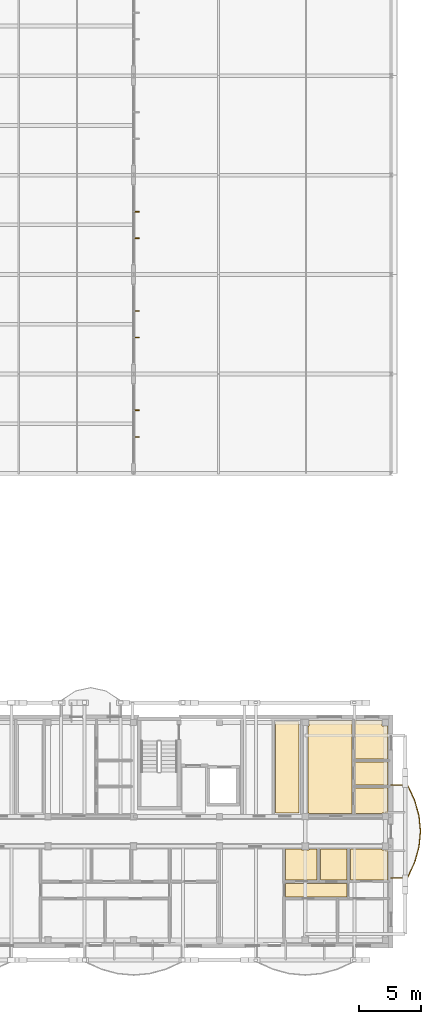
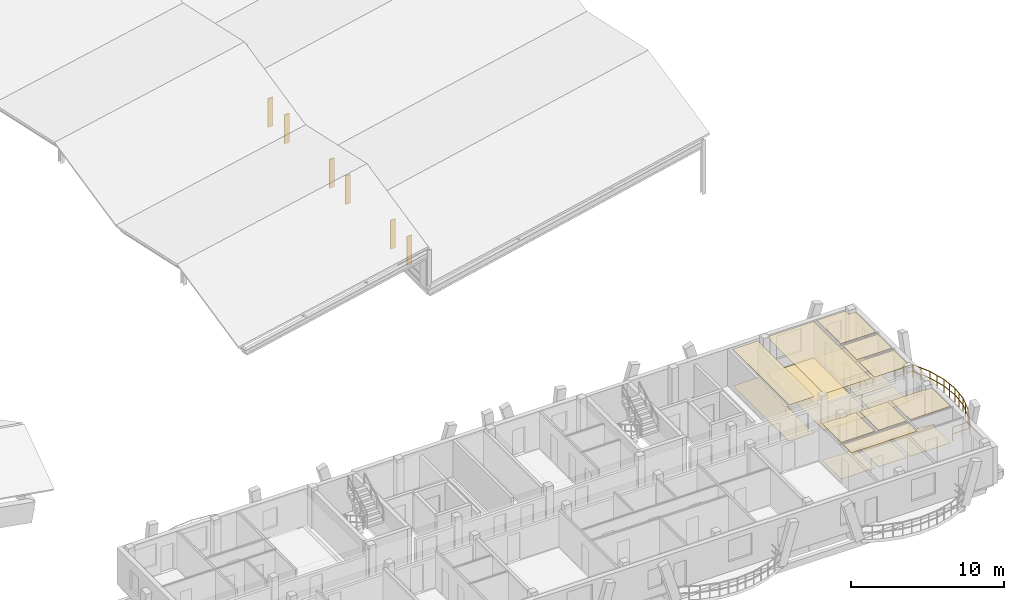
# One storey, part 104 of 109: 17 coverings, 6 shading devices, 1 railing.
"""IFC4 building model written with IfcOpenShell, lengths in metres."""

from ifc_helpers import new_model, si_unit, direction, frame, origin, origin_2d, place, context, subcontext, project, spatial, polyline, rectangle, outline, extrude, material, layer, layer_set, type_object, element, save


model = new_model("IFC4")

# Units and contexts
model_context = context("Model", 3, precision=1e-05, world=origin(), true_north=direction((0.0, 1.0)))
body_context = subcontext(model_context, "Body", "Model", "MODEL_VIEW")
ifc_project = project(units=[si_unit("LENGTHUNIT", "METRE"), si_unit("AREAUNIT", "SQUARE_METRE"), si_unit("VOLUMEUNIT", "CUBIC_METRE"), si_unit("PLANEANGLEUNIT", "RADIAN"), si_unit("MASSUNIT", "GRAM", prefix="KILO")], contexts=[model_context])

# Site, building, storey
site_placement = place(None, origin())
site = spatial("IfcSite", under=ifc_project, at=site_placement, CompositionType="ELEMENT")
building_placement = place(site_placement, origin())
building = spatial("IfcBuilding", under=site, at=building_placement, Name="Zavelmont Quarter", CompositionType="ELEMENT")
storey_placement = place(building_placement, frame((0.0, 0.0, 8.0)))
storey = spatial("IfcBuildingStorey", under=building, at=storey_placement, Name="L02", CompositionType="ELEMENT", Elevation=8.0)

# Coverings
ifc_material_1 = material(Name="Perforated acoustic gypsum board")
ifc_layer_1 = layer(ifc_material_1, 0.02490234375)
ifc_layer_set_1 = layer_set([ifc_layer_1], Name="Perforated acoustic gypsum board")
covering_type_1 = type_object("IfcCoveringType", Name="CV-CL01", PredefinedType="CEILING", material=ifc_layer_set_1)
covering_1_placement = place(storey_placement, frame((0.0, 0.0, 2.9150390625)))
element("IfcCovering", 1, at=covering_1_placement, inside=storey, type_object=covering_type_1, Name="L02 Cleaners Store acoustic ceiling", PredefinedType="CEILING", context=body_context, shape_type="SweptSolid", body=[
    extrude(outline(polyline([(158.72998046875, 18.02001953125), (160.6201171875, 18.02001953125), (160.6201171875, 10.679931640625), (158.72998046875, 10.679931640625), (158.72998046875, 18.02001953125)])), origin(), (0.0, 0.0, 1.0), 0.02490234375),
])
covering_2_placement = place(storey_placement, frame((0.0, 0.0, 2.9150390625)))
element("IfcCovering", 2, at=covering_2_placement, inside=storey, type_object=covering_type_1, Name="L02 Kitchen acoustic ceiling", PredefinedType="CEILING", context=body_context, shape_type="SweptSolid", body=[
    extrude(outline(polyline([(159.530029296875, 7.77001953125), (160.81005859375, 7.77001953125), (160.81005859375, 7.7099609375), (161.389892578125, 7.7099609375), (161.389892578125, 7.77001953125), (162.070068359375, 7.77001953125), (162.070068359375, 5.280029296875), (159.530029296875, 5.280029296875), (159.530029296875, 7.77001953125)])), origin(), (0.0, 0.0, 1.0), 0.02490234375),
])
covering_3_placement = place(storey_placement, frame((0.0, 0.0, 2.9150390625)))
element("IfcCovering", 3, at=covering_3_placement, inside=storey, type_object=covering_type_1, Name="L02 Living Dining acoustic ceiling", PredefinedType="CEILING", context=body_context, shape_type="SweptSolid", body=[
    extrude(outline(polyline([(161.330078125, 17.669921875), (161.389892578125, 17.669921875), (161.389892578125, 18.1201171875), (164.8701171875, 18.1201171875), (164.8701171875, 10.6298828125), (161.389892578125, 10.6298828125), (161.389892578125, 10.68994140625), (161.330078125, 10.68994140625), (161.330078125, 17.669921875)])), origin(), (0.0, 0.0, 1.0), 0.02490234375),
])
covering_4_placement = place(storey_placement, frame((0.0, 0.0, 2.9150390625)))
element("IfcCovering", 4, at=covering_4_placement, inside=storey, type_object=covering_type_1, Name="L02 Kitchen acoustic ceiling", PredefinedType="CEILING", context=body_context, shape_type="SweptSolid", body=[
    extrude(outline(polyline([(165.1298828125, 12.669921875), (167.77001953125, 12.669921875), (167.77001953125, 10.68994140625), (167.27001953125, 10.68994140625), (167.27001953125, 10.6298828125), (165.1298828125, 10.6298828125), (165.1298828125, 12.669921875)])), origin(), (0.0, 0.0, 1.0), 0.02490234375),
])
covering_5_placement = place(storey_placement, frame((0.0, 0.0, 2.9150390625)))
element("IfcCovering", 5, at=covering_5_placement, inside=storey, type_object=covering_type_1, Name="L02 Single Bedroom acoustic ceiling", PredefinedType="CEILING", context=body_context, shape_type="SweptSolid", body=[
    extrude(outline(polyline([(165.1298828125, 18.1201171875), (167.27001953125, 18.1201171875), (167.27001953125, 17.669921875), (167.77001953125, 17.669921875), (167.77001953125, 15.030029296875), (165.1298828125, 15.030029296875), (165.1298828125, 18.1201171875)])), origin(), (0.0, 0.0, 1.0), 0.02490234375),
])
ifc_material_2 = material(Name="Slatted European ash acoustic baffle ceiling")
ifc_layer_2 = layer(ifc_material_2, 0.0400390625)
ifc_layer_set_2 = layer_set([ifc_layer_2], Name="Slatted European ash acoustic baffle ceiling")
covering_type_2 = type_object("IfcCoveringType", Name="CV-CL02", PredefinedType="CEILING", material=ifc_layer_set_2)
covering_6_placement = place(storey_placement, frame((0.0, 0.0, 2.89990234375)))
element("IfcCovering", 6, at=covering_6_placement, inside=storey, type_object=covering_type_2, Name="L02 Apartment Hall acoustic ceiling", PredefinedType="CEILING", context=body_context, shape_type="SweptSolid", body=[
    extrude(outline(polyline([(159.530029296875, 5.02001953125), (164.469970703125, 5.02001953125), (164.469970703125, 3.929931640625), (159.530029296875, 3.929931640625), (159.530029296875, 5.02001953125)])), origin(), (0.0, 0.0, 1.0), 0.0400390625),
])
ifc_material_3 = material(Name="Moisture-resistant painted gypsum ceiling")
ifc_layer_3 = layer(ifc_material_3, 0.02001953125)
ifc_layer_set_3 = layer_set([ifc_layer_3], Name="Moisture-resistant painted gypsum ceiling")
covering_type_3 = type_object("IfcCoveringType", Name="CV-CL04", PredefinedType="CEILING", material=ifc_layer_set_3)
covering_7_placement = place(storey_placement, frame((0.0, 0.0, 2.919921875)))
element("IfcCovering", 7, at=covering_7_placement, inside=storey, type_object=covering_type_3, Name="L02 Bathroom acoustic ceiling", PredefinedType="CEILING", context=body_context, shape_type="SweptSolid", body=[
    extrude(outline(polyline([(162.330078125, 7.77001953125), (164.469970703125, 7.77001953125), (164.469970703125, 5.280029296875), (162.330078125, 5.280029296875), (162.330078125, 7.77001953125)])), origin(), (0.0, 0.0, 1.0), 0.02001953125),
])
covering_8_placement = place(storey_placement, frame((0.0, 0.0, 2.919921875)))
element("IfcCovering", 8, at=covering_8_placement, inside=storey, type_object=covering_type_3, Name="L02 Bathroom acoustic ceiling", PredefinedType="CEILING", context=body_context, shape_type="SweptSolid", body=[
    extrude(outline(polyline([(164.72998046875, 7.77001953125), (167.27001953125, 7.77001953125), (167.27001953125, 7.7099609375), (167.77001953125, 7.7099609375), (167.77001953125, 5.280029296875), (164.72998046875, 5.280029296875), (164.72998046875, 7.77001953125)])), origin(), (0.0, 0.0, 1.0), 0.02001953125),
])
covering_9_placement = place(storey_placement, frame((0.0, 0.0, 2.919921875)))
element("IfcCovering", 9, at=covering_9_placement, inside=storey, type_object=covering_type_3, Name="L02 Bathroom acoustic ceiling", PredefinedType="CEILING", context=body_context, shape_type="SweptSolid", body=[
    extrude(outline(polyline([(165.1298828125, 14.77001953125), (167.77001953125, 14.77001953125), (167.77001953125, 12.929931640625), (165.1298828125, 12.929931640625), (165.1298828125, 14.77001953125)])), origin(), (0.0, 0.0, 1.0), 0.02001953125),
])
ifc_material_4 = material(Name="Engineered European oak parquet")
ifc_layer_4 = layer(ifc_material_4, 0.02197265625)
ifc_layer_set_4 = layer_set([ifc_layer_4], Name="Engineered European oak parquet")
covering_type_4 = type_object("IfcCoveringType", Name="CV-FL01", PredefinedType="FLOORING", material=ifc_layer_set_4)
covering_10_placement = place(storey_placement, origin())
element("IfcCovering", 10, at=covering_10_placement, inside=storey, type_object=covering_type_4, Name="L02 Cleaners Store floor finish", PredefinedType="FLOORING", context=body_context, shape_type="SweptSolid", body=[
    extrude(outline(polyline([(158.72998046875, 18.02001953125), (160.6201171875, 18.02001953125), (160.6201171875, 10.679931640625), (158.72998046875, 10.679931640625), (158.72998046875, 18.02001953125)])), origin(), (0.0, 0.0, 1.0), 0.02197265625),
])
covering_11_placement = place(storey_placement, origin())
element("IfcCovering", 11, at=covering_11_placement, inside=storey, type_object=covering_type_4, Name="L02 Kitchen floor finish", PredefinedType="FLOORING", context=body_context, shape_type="SweptSolid", body=[
    extrude(outline(polyline([(159.530029296875, 7.77001953125), (160.81005859375, 7.77001953125), (160.81005859375, 7.7099609375), (161.389892578125, 7.7099609375), (161.389892578125, 7.77001953125), (162.070068359375, 7.77001953125), (162.070068359375, 5.280029296875), (159.530029296875, 5.280029296875), (159.530029296875, 7.77001953125)])), origin(), (0.0, 0.0, 1.0), 0.02197265625),
])
covering_12_placement = place(storey_placement, origin())
element("IfcCovering", 12, at=covering_12_placement, inside=storey, type_object=covering_type_4, Name="L02 Living Dining floor finish", PredefinedType="FLOORING", context=body_context, shape_type="SweptSolid", body=[
    extrude(outline(polyline([(161.330078125, 17.669921875), (161.389892578125, 17.669921875), (161.389892578125, 18.1201171875), (164.8701171875, 18.1201171875), (164.8701171875, 10.6298828125), (161.389892578125, 10.6298828125), (161.389892578125, 10.68994140625), (161.330078125, 10.68994140625), (161.330078125, 17.669921875)])), origin(), (0.0, 0.0, 1.0), 0.02197265625),
])
covering_13_placement = place(storey_placement, origin())
element("IfcCovering", 13, at=covering_13_placement, inside=storey, type_object=covering_type_4, Name="L02 Kitchen floor finish", PredefinedType="FLOORING", context=body_context, shape_type="SweptSolid", body=[
    extrude(outline(polyline([(165.1298828125, 12.669921875), (167.77001953125, 12.669921875), (167.77001953125, 10.68994140625), (167.27001953125, 10.68994140625), (167.27001953125, 10.6298828125), (165.1298828125, 10.6298828125), (165.1298828125, 12.669921875)])), origin(), (0.0, 0.0, 1.0), 0.02197265625),
])
covering_14_placement = place(storey_placement, origin())
element("IfcCovering", 14, at=covering_14_placement, inside=storey, type_object=covering_type_4, Name="L02 Single Bedroom floor finish", PredefinedType="FLOORING", context=body_context, shape_type="SweptSolid", body=[
    extrude(outline(polyline([(165.1298828125, 18.1201171875), (167.27001953125, 18.1201171875), (167.27001953125, 17.669921875), (167.77001953125, 17.669921875), (167.77001953125, 15.030029296875), (165.1298828125, 15.030029296875), (165.1298828125, 18.1201171875)])), origin(), (0.0, 0.0, 1.0), 0.02197265625),
])
ifc_material_5 = material(Name="Slip-resistant porcelain tile")
ifc_layer_5 = layer(ifc_material_5, 0.02587890625)
ifc_layer_set_5 = layer_set([ifc_layer_5], Name="Slip-resistant porcelain tile")
covering_type_5 = type_object("IfcCoveringType", Name="CV-FL04", PredefinedType="FLOORING", material=ifc_layer_set_5)
covering_15_placement = place(storey_placement, origin())
element("IfcCovering", 15, at=covering_15_placement, inside=storey, type_object=covering_type_5, Name="L02 Bathroom floor finish", PredefinedType="FLOORING", context=body_context, shape_type="SweptSolid", body=[
    extrude(outline(polyline([(162.330078125, 7.77001953125), (164.469970703125, 7.77001953125), (164.469970703125, 5.280029296875), (162.330078125, 5.280029296875), (162.330078125, 7.77001953125)])), origin(), (0.0, 0.0, 1.0), 0.02587890625),
])
covering_16_placement = place(storey_placement, origin())
element("IfcCovering", 16, at=covering_16_placement, inside=storey, type_object=covering_type_5, Name="L02 Bathroom floor finish", PredefinedType="FLOORING", context=body_context, shape_type="SweptSolid", body=[
    extrude(outline(polyline([(164.72998046875, 7.77001953125), (167.27001953125, 7.77001953125), (167.27001953125, 7.7099609375), (167.77001953125, 7.7099609375), (167.77001953125, 5.280029296875), (164.72998046875, 5.280029296875), (164.72998046875, 7.77001953125)])), origin(), (0.0, 0.0, 1.0), 0.02587890625),
])
covering_17_placement = place(storey_placement, origin())
element("IfcCovering", 17, at=covering_17_placement, inside=storey, type_object=covering_type_5, Name="L02 Bathroom floor finish", PredefinedType="FLOORING", context=body_context, shape_type="SweptSolid", body=[
    extrude(outline(polyline([(165.1298828125, 14.77001953125), (167.77001953125, 14.77001953125), (167.77001953125, 12.929931640625), (165.1298828125, 12.929931640625), (165.1298828125, 14.77001953125)])), origin(), (0.0, 0.0, 1.0), 0.02587890625),
])

# Railing
ifc_material_6 = material(Name="Powder-coated steel and tempered double safety glass", Category="steel")
railing_type = type_object("IfcRailingType", Name="RL-BAL1", PredefinedType="BALUSTRADE", material=ifc_material_6)
railing_placement = place(storey_placement, frame((168.02001953125, 5.455078125, 0.0)))
element("IfcRailing", 18, at=railing_placement, inside=storey, type_object=railing_type, Name="L02 Block D curved balcony guard RL-BAL1", PredefinedType="BALUSTRADE", context=body_context, shape_type="SweptSolid", body=[
    extrude(rectangle(XDim=0.048095703125, YDim=0.048095703125, at=origin_2d()), frame((0.0, 0.0, 1.076171875), z_axis=(1.0, 0.0, 0.0), x_axis=(0.0, 1.0, 0.0)), (0.0, 0.0, 1.0), 1.312744140625),
    extrude(rectangle(XDim=0.048095703125, YDim=0.048095703125, at=origin_2d()), frame((0.0, 0.0, 0.550048828125), z_axis=(1.0, 0.0, 0.0), x_axis=(0.0, 1.0, 0.0)), (0.0, 0.0, 1.0), 1.312744140625),
    extrude(rectangle(XDim=0.048095703125, YDim=0.048095703125, at=origin_2d()), frame((1.312744140625, 0.0, 1.076171875), z_axis=(0.422438999313, 0.906391356898, 0.0), x_axis=(-0.906391356898, 0.422438999313, 0.0)), (0.0, 0.0, 1.0), 1.377197265625),
    extrude(rectangle(XDim=0.048095703125, YDim=0.048095703125, at=origin_2d()), frame((1.312744140625, 0.0, 0.550048828125), z_axis=(0.422438999313, 0.906391356898, 0.0), x_axis=(-0.906391356898, 0.422438999313, 0.0)), (0.0, 0.0, 1.0), 1.377197265625),
    extrude(rectangle(XDim=0.048095703125, YDim=0.048095703125, at=origin_2d()), frame((1.89453125, 1.248291015625, 1.076171875), z_axis=(0.269343473115, 0.963044180446, 0.0), x_axis=(-0.963044180446, 0.269343473115, 0.0)), (0.0, 0.0, 1.0), 1.296142578125),
    extrude(rectangle(XDim=0.048095703125, YDim=0.048095703125, at=origin_2d()), frame((1.89453125, 1.248291015625, 0.550048828125), z_axis=(0.269343473115, 0.963044180446, 0.0), x_axis=(-0.963044180446, 0.269343473115, 0.0)), (0.0, 0.0, 1.0), 1.296142578125),
    extrude(rectangle(XDim=0.048095703125, YDim=0.048095703125, at=origin_2d()), frame((2.24365234375, 2.49658203125, 1.076171875), z_axis=(0.092695207631, 0.995694530708, 0.0), x_axis=(-0.995694530708, 0.092695207631, 0.0)), (0.0, 0.0, 1.0), 1.253662109375),
    extrude(rectangle(XDim=0.048095703125, YDim=0.048095703125, at=origin_2d()), frame((2.24365234375, 2.49658203125, 0.550048828125), z_axis=(0.092695207631, 0.995694530708, 0.0), x_axis=(-0.995694530708, 0.092695207631, 0.0)), (0.0, 0.0, 1.0), 1.253662109375),
    extrude(rectangle(XDim=0.048095703125, YDim=0.048095703125, at=origin_2d()), frame((2.35986328125, 3.744873046875, 1.076171875), z_axis=(-0.092695207631, 0.995694530708, 0.0), x_axis=(-0.995694530708, -0.092695207631, 0.0)), (0.0, 0.0, 1.0), 1.253662109375),
    extrude(rectangle(XDim=0.048095703125, YDim=0.048095703125, at=origin_2d()), frame((2.35986328125, 3.744873046875, 0.550048828125), z_axis=(-0.092695207631, 0.995694530708, 0.0), x_axis=(-0.995694530708, -0.092695207631, 0.0)), (0.0, 0.0, 1.0), 1.253662109375),
    extrude(rectangle(XDim=0.048095703125, YDim=0.048095703125, at=origin_2d()), frame((2.24365234375, 4.9931640625, 1.076171875), z_axis=(-0.269294625047, 0.963057840901, 0.0), x_axis=(-0.963057840901, -0.269294625047, 0.0)), (0.0, 0.0, 1.0), 1.29638671875),
    extrude(rectangle(XDim=0.048095703125, YDim=0.048095703125, at=origin_2d()), frame((2.24365234375, 4.9931640625, 0.550048828125), z_axis=(-0.269294625047, 0.963057840901, 0.0), x_axis=(-0.963057840901, -0.269294625047, 0.0)), (0.0, 0.0, 1.0), 1.29638671875),
    extrude(rectangle(XDim=0.048095703125, YDim=0.048095703125, at=origin_2d()), frame((1.89453125, 6.24169921875, 1.076171875), z_axis=(-0.422438999313, 0.906391356898, 0.0), x_axis=(-0.906391356898, -0.422438999313, 0.0)), (0.0, 0.0, 1.0), 1.377197265625),
    extrude(rectangle(XDim=0.048095703125, YDim=0.048095703125, at=origin_2d()), frame((1.89453125, 6.24169921875, 0.550048828125), z_axis=(-0.422438999313, 0.906391356898, 0.0), x_axis=(-0.906391356898, -0.422438999313, 0.0)), (0.0, 0.0, 1.0), 1.377197265625),
    extrude(rectangle(XDim=0.048095703125, YDim=0.048095703125, at=origin_2d()), frame((1.312744140625, 7.489990234375, 1.076171875), z_axis=(-1.0, 0.0, 0.0), x_axis=(0.0, -1.0, 0.0)), (0.0, 0.0, 1.0), 1.312744140625),
    extrude(rectangle(XDim=0.048095703125, YDim=0.048095703125, at=origin_2d()), frame((1.312744140625, 7.489990234375, 0.550048828125), z_axis=(-1.0, 0.0, 0.0), x_axis=(0.0, -1.0, 0.0)), (0.0, 0.0, 1.0), 1.312744140625),
    extrude(rectangle(XDim=0.0419921875, YDim=0.0419921875, at=origin_2d()), origin(), (0.0, 0.0, 1.0), 1.052001953125),
    extrude(rectangle(XDim=0.0419921875, YDim=0.0419921875, at=origin_2d()), frame((0.65625, 0.0, 0.0)), (0.0, 0.0, 1.0), 1.052001953125),
    extrude(rectangle(XDim=0.0419921875, YDim=0.0419921875, at=origin_2d()), frame((1.312744140625, 0.0, 0.0)), (0.0, 0.0, 1.0), 1.052001953125),
    extrude(rectangle(XDim=0.0419921875, YDim=0.0419921875, at=origin_2d()), frame((1.603515625, 0.6240234375, 0.0)), (0.0, 0.0, 1.0), 1.052001953125),
    extrude(rectangle(XDim=0.0419921875, YDim=0.0419921875, at=origin_2d()), frame((1.89453125, 1.248291015625, 0.0)), (0.0, 0.0, 1.0), 1.052001953125),
    extrude(rectangle(XDim=0.0419921875, YDim=0.0419921875, at=origin_2d()), frame((2.069091796875, 1.87255859375, 0.0)), (0.0, 0.0, 1.0), 1.052001953125),
    extrude(rectangle(XDim=0.0419921875, YDim=0.0419921875, at=origin_2d()), frame((2.24365234375, 2.49658203125, 0.0)), (0.0, 0.0, 1.0), 1.052001953125),
    extrude(rectangle(XDim=0.0419921875, YDim=0.0419921875, at=origin_2d()), frame((2.3017578125, 3.12060546875, 0.0)), (0.0, 0.0, 1.0), 1.052001953125),
    extrude(rectangle(XDim=0.0419921875, YDim=0.0419921875, at=origin_2d()), frame((2.35986328125, 3.744873046875, 0.0)), (0.0, 0.0, 1.0), 1.052001953125),
    extrude(rectangle(XDim=0.0419921875, YDim=0.0419921875, at=origin_2d()), frame((2.3017578125, 4.369140625, 0.0)), (0.0, 0.0, 1.0), 1.052001953125),
    extrude(rectangle(XDim=0.0419921875, YDim=0.0419921875, at=origin_2d()), frame((2.24365234375, 4.9931640625, 0.0)), (0.0, 0.0, 1.0), 1.052001953125),
    extrude(rectangle(XDim=0.0419921875, YDim=0.0419921875, at=origin_2d()), frame((2.069091796875, 5.617431640625, 0.0)), (0.0, 0.0, 1.0), 1.052001953125),
    extrude(rectangle(XDim=0.0419921875, YDim=0.0419921875, at=origin_2d()), frame((1.89453125, 6.24169921875, 0.0)), (0.0, 0.0, 1.0), 1.052001953125),
    extrude(rectangle(XDim=0.0419921875, YDim=0.0419921875, at=origin_2d()), frame((1.603515625, 6.86572265625, 0.0)), (0.0, 0.0, 1.0), 1.052001953125),
    extrude(rectangle(XDim=0.0419921875, YDim=0.0419921875, at=origin_2d()), frame((1.312744140625, 7.489990234375, 0.0)), (0.0, 0.0, 1.0), 1.052001953125),
    extrude(rectangle(XDim=0.0419921875, YDim=0.0419921875, at=origin_2d()), frame((0.65625, 7.489990234375, 0.0)), (0.0, 0.0, 1.0), 1.052001953125),
    extrude(rectangle(XDim=0.0419921875, YDim=0.0419921875, at=origin_2d()), frame((0.0, 7.489990234375, 0.0)), (0.0, 0.0, 1.0), 1.052001953125),
])

# Shading devices
ifc_material_7 = material(Name="Anodised aluminium EN AW-6063-T6", Category="aluminium")
shading_device_type = type_object("IfcShadingDeviceType", Name="SD06", PredefinedType="JALOUSIE", material=ifc_material_7)
for number, where, z_axis, x_axis, name in (
    (19, (147.56005859375, 40.933349609375, -0.31005859375), (0.0, 0.0, 1.0), (0.0, 1.0, 0.0), "L02 solar brise-soleil fin SD06"),
    (20, (147.56005859375, 43.066650390625, -0.31005859375), (0.0, 0.0, 1.0), (0.0, 1.0, 0.0), "L02 solar brise-soleil fin SD06"),
    (21, (147.56005859375, 48.933349609375, -0.31005859375), (0.0, 0.0, 1.0), (0.0, 1.0, 0.0), "L02 solar brise-soleil fin SD06"),
    (22, (147.56005859375, 51.066650390625, -0.31005859375), (0.0, 0.0, 1.0), (0.0, 1.0, 0.0), "L02 solar brise-soleil fin SD06"),
    (23, (147.56005859375, 56.933349609375, -0.31005859375), (0.0, 0.0, 1.0), (0.0, 1.0, 0.0), "L02 solar brise-soleil fin SD06"),
    (24, (147.56005859375, 59.066650390625, -0.31005859375), (0.0, 0.0, 1.0), (0.0, 1.0, 0.0), "L02 solar brise-soleil fin SD06"),
):
    element("IfcShadingDevice", number, at=place(storey_placement, frame(where, z_axis=z_axis, x_axis=x_axis)), inside=storey, type_object=shading_device_type, Name=name, PredefinedType="JALOUSIE", context=body_context, shape_type="SweptSolid", body=[
        extrude(rectangle(XDim=0.070068359375, YDim=0.3798828125, at=origin_2d()), origin(), (0.0, 0.0, 1.0), 2.300048828125),
    ])

save(model, "model.ifc")
